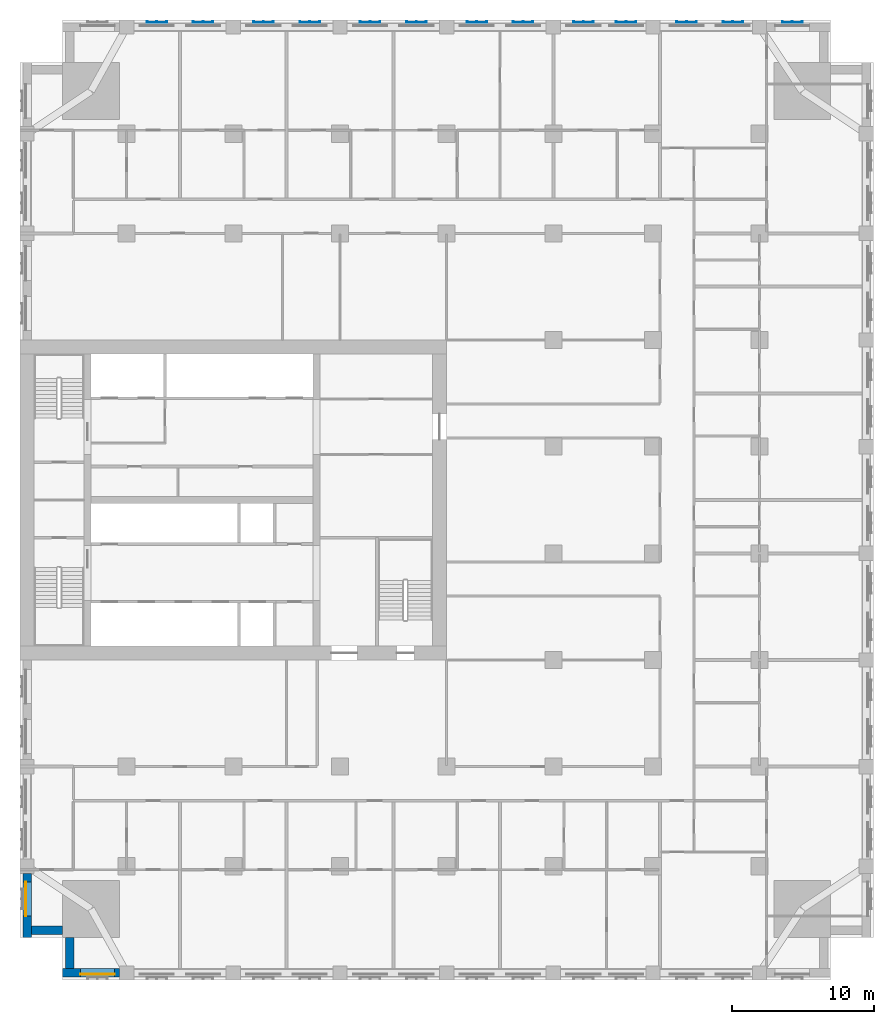
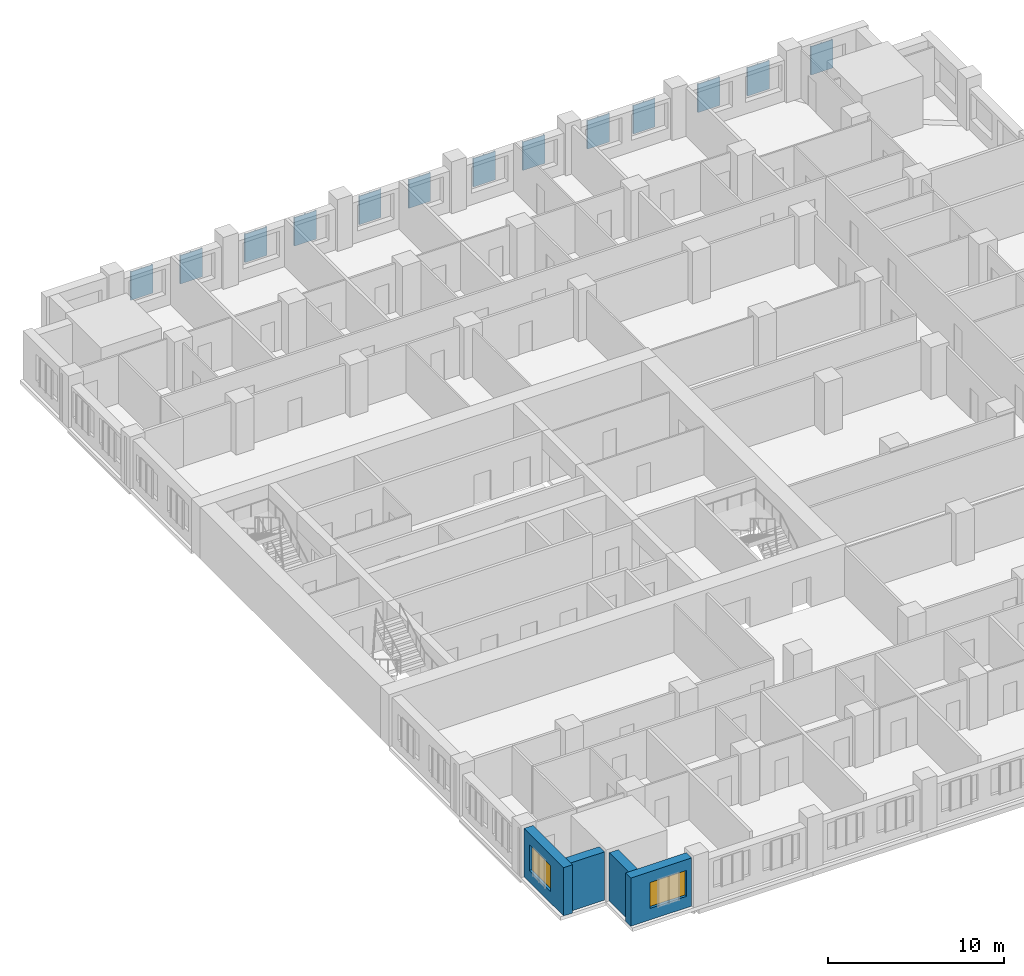
# One storey, part 3 of 14: 13 plates, 4 walls, 2 windows, 2 openings.
"""IFC4 building model written with IfcOpenShell, lengths in metres."""

import ifcopenshell
import ifcopenshell.guid

model = None  # the IFC model being written
_history = None  # IfcOwnerHistory: only IFC2X3 demands one
_inside = {}  # id of a spatial element -> (the spatial element, [elements in it])
_under = {}  # id of a project, library or spatial element -> (it, [spatial elements below it])
_declared = {}  # id of a project -> (the project, [libraries it declares])
_typed = {}  # id of a type object -> (the type object, [elements of that type])
_made_of = {}  # id of a material, layer set ... -> (it, [elements and type objects made of it])


def new_model(schema):
    """Start an empty IFC model of exactly this schema.

    Asked for "IFC4X3", IfcOpenShell would pick the latest addendum, in which some entities
    have other attributes; the version numbers below select the first issue.
    IFC2X3 requires an IfcOwnerHistory on every rooted entity: one is made here for all.
    """
    global model, _history
    if schema == "IFC4X3":
        model = ifcopenshell.file(schema_version=(4, 3, 0, 0))
    else:
        model = ifcopenshell.file(schema=schema)
    _inside.clear()
    _under.clear()
    _declared.clear()
    _typed.clear()
    _made_of.clear()
    _history = None
    if model.schema == "IFC2X3":
        org = make("IfcOrganization", Name="unknown")
        user = make(
            "IfcPersonAndOrganization",
            ThePerson=make("IfcPerson", FamilyName="unknown"),
            TheOrganization=org,
        )
        app = make(
            "IfcApplication",
            ApplicationDeveloper=org,
            Version="unknown",
            ApplicationFullName="unknown",
            ApplicationIdentifier="unknown",
        )
        _history = make(
            "IfcOwnerHistory",
            OwningUser=user,
            OwningApplication=app,
            ChangeAction="ADDED",
            CreationDate=0,
        )
    return model


def make(cls, **values):
    """One entity of the class cls with the attributes given. An attribute that is None is left unset."""
    return model.create_entity(
        cls, **{name: value for name, value in values.items() if value is not None}
    )


def rooted(cls, **values):
    """An entity with a GlobalId (a new one), such as an element, a storey or a relation."""
    return make(cls, GlobalId=ifcopenshell.guid.new(), OwnerHistory=_history, **values)


def si_unit(unit_type, name, prefix=None):
    """IfcSIUnit, for example si_unit("LENGTHUNIT", "METRE", prefix="MILLI")."""
    return make("IfcSIUnit", UnitType=unit_type, Prefix=prefix, Name=name)


def assignment(units):
    """IfcUnitAssignment: the units of a project."""
    return None if units is None else make("IfcUnitAssignment", Units=units)


def point(xyz):
    """IfcCartesianPoint."""
    return None if xyz is None else make("IfcCartesianPoint", Coordinates=xyz)


def direction(xyz):
    """IfcDirection."""
    return None if xyz is None else make("IfcDirection", DirectionRatios=xyz)


def frame(location, z_axis=None, x_axis=None):
    """IfcAxis2Placement3D, a coordinate frame: its origin and axes. An axis left out is left unset."""
    return make(
        "IfcAxis2Placement3D",
        Location=point(location),
        Axis=direction(z_axis),
        RefDirection=direction(x_axis),
    )


def frame_2d(location, x_axis=None):
    """IfcAxis2Placement2D, a coordinate frame in the plane: its origin and x axis."""
    return make(
        "IfcAxis2Placement2D", Location=point(location), RefDirection=direction(x_axis)
    )


def origin():
    """The frame at (0, 0, 0) with its axes left unset."""
    return frame((0.0, 0.0, 0.0))


def place(relative_to, where):
    """IfcLocalPlacement: puts the frame where relative to a parent placement (None: the world)."""
    return make(
        "IfcLocalPlacement", PlacementRelTo=relative_to, RelativePlacement=where
    )


def context(
    kind, dimensions, precision=None, world=None, true_north=None, identifier=None
):
    """IfcGeometricRepresentationContext, for example the 3D "Model" context."""
    return make(
        "IfcGeometricRepresentationContext",
        ContextIdentifier=identifier,
        ContextType=kind,
        CoordinateSpaceDimension=dimensions,
        Precision=precision,
        WorldCoordinateSystem=world,
        TrueNorth=true_north,
    )


def subcontext(parent, identifier, kind, view, scale=None):
    """IfcGeometricRepresentationSubContext, for example "Body" below "Model"."""
    return make(
        "IfcGeometricRepresentationSubContext",
        ContextIdentifier=identifier,
        ContextType=kind,
        ParentContext=parent,
        TargetScale=scale,
        TargetView=view,
    )


def project(units=None, contexts=None):
    """IfcProject with its units and contexts."""
    return rooted(
        "IfcProject",
        Name="project",
        RepresentationContexts=contexts,
        UnitsInContext=assignment(units),
    )


def spatial(cls, under=None, at=None, **own):
    """A site, building, storey or space (cls), placed at a placement, below another one or the project."""
    s = rooted(cls, ObjectPlacement=at, **own)
    if under is not None:
        _under.setdefault(under.id(), (under, []))[1].append(s)
    return s


def polyline(points):
    """IfcPolyline through the points."""
    return make("IfcPolyline", Points=[point(p) for p in points])


def profile(cls, at=None, kind="AREA", **sizes):
    """A parametric profile (cls). Its sizes go by their IFC names, for example OverallWidth=200.0."""
    return make(cls, ProfileType=kind, Position=at, **sizes)


def rectangle(**sizes):
    """IfcRectangleProfileDef."""
    return profile("IfcRectangleProfileDef", **sizes)


def outline(outer, holes=None, kind="AREA"):
    """IfcArbitraryClosedProfileDef: a profile drawn as a closed curve; with holes, ...WithVoids."""
    if holes is None:
        return make("IfcArbitraryClosedProfileDef", ProfileType=kind, OuterCurve=outer)
    return make(
        "IfcArbitraryProfileDefWithVoids",
        ProfileType=kind,
        OuterCurve=outer,
        InnerCurves=holes,
    )


def extrude(swept, where, along, depth):
    """IfcExtrudedAreaSolid: the profile swept, set in the frame where, extruded along a direction by depth."""
    return make(
        "IfcExtrudedAreaSolid",
        SweptArea=swept,
        Position=where,
        ExtrudedDirection=direction(along),
        Depth=depth,
    )


def shape(context_of_items, identifier, shape_type, items):
    """IfcShapeRepresentation: the items that make up one representation, for example the "Body"."""
    return make(
        "IfcShapeRepresentation",
        ContextOfItems=context_of_items,
        RepresentationIdentifier=identifier,
        RepresentationType=shape_type,
        Items=items,
    )


def material(Name=None, Category=None):
    """IfcMaterial."""
    return make("IfcMaterial", Name=Name, Category=Category)


def layer(
    of_material, thickness, ventilated=None, Name=None, Category=None, Priority=None
):
    """IfcMaterialLayer: one layer of a wall or slab, of a material (None: an air gap)."""
    return make(
        "IfcMaterialLayer",
        Material=of_material,
        LayerThickness=thickness,
        IsVentilated=ventilated,
        Name=Name,
        Category=Category,
        Priority=Priority,
    )


def layer_set(layers, Name=None):
    """IfcMaterialLayerSet."""
    return make("IfcMaterialLayerSet", MaterialLayers=layers, LayerSetName=Name)


def made_of(thing, what):
    """Note that an element or type object is made of a material, layer set ...; save() writes the relation."""
    if what is not None:
        _made_of.setdefault(what.id(), (what, []))[1].append(thing)
    return thing


def type_object(cls, material=None, **own):
    """A type object (cls), such as IfcWallType, which elements share."""
    return made_of(rooted(cls, **own), material)


def element(
    cls,
    number,
    at=None,
    inside=None,
    cuts=None,
    type_object=None,
    material=None,
    context=None,
    identifier="Body",
    shape_type=None,
    held_by="IfcProductDefinitionShape",
    body=None,
    shapes=None,
    **own,
):
    """One element of the class cls, such as IfcWall. Its Tag is "e" and its number.

    at: its placement. inside: the storey or other place that contains it. cuts: it is an
    opening in that element (IfcRelVoidsElement). A single representation is given by context,
    identifier, shape_type and body (its items); several are given by shapes. held_by: the class
    of the entity that holds the representations. save() writes the other relations.
    """
    e = rooted(cls, Tag="e%d" % number, ObjectPlacement=at, **own)
    if body is not None:
        shapes = [shape(context, identifier, shape_type, body)]
    if shapes is not None:
        e.Representation = make(held_by, Representations=shapes)
    if inside is not None:
        _inside.setdefault(inside.id(), (inside, []))[1].append(e)
    if cuts is not None:
        rooted(
            "IfcRelVoidsElement", RelatingBuildingElement=cuts, RelatedOpeningElement=e
        )
    if type_object is not None:
        _typed.setdefault(type_object.id(), (type_object, []))[1].append(e)
    return made_of(e, material)


def fill(opening, filler):
    """IfcRelFillsElement: the door or window that sits in an opening."""
    return rooted(
        "IfcRelFillsElement",
        RelatingOpeningElement=opening,
        RelatedBuildingElement=filler,
    )


def aggregate(whole, parts):
    """IfcRelAggregates: a whole, such as a stair, and the parts it consists of."""
    return rooted("IfcRelAggregates", RelatingObject=whole, RelatedObjects=parts)


def save(model, path):
    """Write the relations noted so far, then the file.

    IfcRelAggregates (storeys below a building ...), IfcRelContainedInSpatialStructure (elements
    in a storey), IfcRelDefinesByType, IfcRelAssociatesMaterial and IfcRelDeclares: one each for
    every whole, place, type object, material and project.
    """
    for whole, parts in _under.values():
        aggregate(whole, parts)
    for where, things in _inside.values():
        rooted(
            "IfcRelContainedInSpatialStructure",
            RelatedElements=things,
            RelatingStructure=where,
        )
    for kind, things in _typed.values():
        rooted("IfcRelDefinesByType", RelatedObjects=things, RelatingType=kind)
    for what, things in _made_of.values():
        rooted("IfcRelAssociatesMaterial", RelatedObjects=things, RelatingMaterial=what)
    for by, libraries in _declared.values():
        rooted("IfcRelDeclares", RelatingContext=by, RelatedDefinitions=libraries)
    model.write(path)


model = new_model("IFC4")

# Units and contexts
model_context = context("Model", 3, precision=1e-05, world=origin(), true_north=direction((0.0, 1.0)))
body_context = subcontext(model_context, "Body", "Model", "MODEL_VIEW")
ifc_project = project(units=[si_unit("LENGTHUNIT", "METRE"), si_unit("AREAUNIT", "SQUARE_METRE"), si_unit("VOLUMEUNIT", "CUBIC_METRE"), si_unit("PLANEANGLEUNIT", "RADIAN"), si_unit("MASSUNIT", "GRAM", prefix="KILO")], contexts=[model_context])

# Site, building, storey
site_placement = place(None, origin())
site = spatial("IfcSite", under=ifc_project, at=site_placement, CompositionType="ELEMENT")
building_placement = place(site_placement, origin())
building = spatial("IfcBuilding", under=site, at=building_placement, Name="Tamorin Gate", CompositionType="ELEMENT")
storey_placement = place(building_placement, frame((0.0, 0.0, 66.39990234375)))
storey = spatial("IfcBuildingStorey", under=building, at=storey_placement, Name="L15", CompositionType="ELEMENT", Elevation=66.39990234375)

# Plates
ifc_material_1 = material(Name="Perforated pale aluminium sheet", Category="aluminium")
ifc_layer_1 = layer(ifc_material_1, 0.0400390625)
ifc_layer_set_1 = layer_set([ifc_layer_1], Name="Pale metal solar screen 1440")
plate_type = type_object("IfcPlateType", Name="Pale metal solar screen 1440", PredefinedType="SHEET", material=ifc_layer_set_1)
plate_1_placement = place(storey_placement, frame((0.0, 0.0, 0.710205078125)))
element("IfcPlate", 1, at=plate_1_placement, inside=storey, type_object=plate_type, Name="Perforated solar screen", PredefinedType="SHEET", context=body_context, shape_type="SweptSolid", body=[
    extrude(outline(polyline([(85.02001953125, 104.840087890625), (85.02001953125, 104.800048828125), (84.9599609375, 104.800048828125), (84.330078125, 104.800048828125), (84.27001953125, 104.800048828125), (83.639892578125, 104.800048828125), (83.580078125, 104.800048828125), (83.580078125, 104.840087890625), (83.580078125, 104.89990234375), (83.639892578125, 104.89990234375), (83.639892578125, 104.840087890625), (84.27001953125, 104.840087890625), (84.27001953125, 104.89990234375), (84.330078125, 104.89990234375), (84.330078125, 104.840087890625), (84.9599609375, 104.840087890625), (84.9599609375, 104.89990234375), (85.02001953125, 104.89990234375), (85.02001953125, 104.840087890625)])), origin(), (0.0, 0.0, 1.0), 1.97998046875),
])
plate_2_placement = place(storey_placement, frame((0.0, 0.0, 0.710205078125)))
element("IfcPlate", 2, at=plate_2_placement, inside=storey, type_object=plate_type, Name="Perforated solar screen", PredefinedType="SHEET", context=body_context, shape_type="SweptSolid", body=[
    extrude(outline(polyline([(77.594970703125, 104.840087890625), (77.594970703125, 104.800048828125), (77.534912109375, 104.800048828125), (76.905029296875, 104.800048828125), (76.844970703125, 104.800048828125), (76.215087890625, 104.800048828125), (76.155029296875, 104.800048828125), (76.155029296875, 104.840087890625), (76.155029296875, 104.89990234375), (76.215087890625, 104.89990234375), (76.215087890625, 104.840087890625), (76.844970703125, 104.840087890625), (76.844970703125, 104.89990234375), (76.905029296875, 104.89990234375), (76.905029296875, 104.840087890625), (77.534912109375, 104.840087890625), (77.534912109375, 104.89990234375), (77.594970703125, 104.89990234375), (77.594970703125, 104.840087890625)])), origin(), (0.0, 0.0, 1.0), 1.97998046875),
])
plate_3_placement = place(storey_placement, frame((0.0, 0.0, 0.710205078125)))
element("IfcPlate", 3, at=plate_3_placement, inside=storey, type_object=plate_type, Name="Perforated solar screen", PredefinedType="SHEET", context=body_context, shape_type="SweptSolid", body=[
    extrude(outline(polyline([(80.844970703125, 104.840087890625), (80.844970703125, 104.800048828125), (80.784912109375, 104.800048828125), (80.155029296875, 104.800048828125), (80.094970703125, 104.800048828125), (79.465087890625, 104.800048828125), (79.405029296875, 104.800048828125), (79.405029296875, 104.800048828125), (79.405029296875, 104.840087890625), (79.405029296875, 104.840087890625), (79.405029296875, 104.89990234375), (79.465087890625, 104.89990234375), (79.465087890625, 104.840087890625), (80.094970703125, 104.840087890625), (80.094970703125, 104.89990234375), (80.155029296875, 104.89990234375), (80.155029296875, 104.840087890625), (80.784912109375, 104.840087890625), (80.784912109375, 104.89990234375), (80.844970703125, 104.89990234375), (80.844970703125, 104.840087890625)])), origin(), (0.0, 0.0, 1.0), 1.97998046875),
])
plate_4_placement = place(storey_placement, frame((0.0, 0.0, 0.710205078125)))
element("IfcPlate", 4, at=plate_4_placement, inside=storey, type_object=plate_type, Name="Perforated solar screen", PredefinedType="SHEET", context=body_context, shape_type="SweptSolid", body=[
    extrude(outline(polyline([(70.344970703125, 104.840087890625), (70.344970703125, 104.800048828125), (70.284912109375, 104.800048828125), (69.655029296875, 104.800048828125), (69.594970703125, 104.800048828125), (68.965087890625, 104.800048828125), (68.905029296875, 104.800048828125), (68.905029296875, 104.840087890625), (68.905029296875, 104.89990234375), (68.965087890625, 104.89990234375), (68.965087890625, 104.840087890625), (69.594970703125, 104.840087890625), (69.594970703125, 104.89990234375), (69.655029296875, 104.89990234375), (69.655029296875, 104.840087890625), (70.284912109375, 104.840087890625), (70.284912109375, 104.89990234375), (70.344970703125, 104.89990234375), (70.344970703125, 104.840087890625)])), origin(), (0.0, 0.0, 1.0), 1.97998046875),
])
plate_5_placement = place(storey_placement, frame((0.0, 0.0, 0.710205078125)))
element("IfcPlate", 5, at=plate_5_placement, inside=storey, type_object=plate_type, Name="Perforated solar screen", PredefinedType="SHEET", context=body_context, shape_type="SweptSolid", body=[
    extrude(outline(polyline([(73.344970703125, 104.840087890625), (73.344970703125, 104.800048828125), (73.284912109375, 104.800048828125), (72.655029296875, 104.800048828125), (72.594970703125, 104.800048828125), (71.965087890625, 104.800048828125), (71.905029296875, 104.800048828125), (71.905029296875, 104.840087890625), (71.905029296875, 104.89990234375), (71.965087890625, 104.89990234375), (71.965087890625, 104.840087890625), (72.594970703125, 104.840087890625), (72.594970703125, 104.89990234375), (72.655029296875, 104.89990234375), (72.655029296875, 104.840087890625), (73.284912109375, 104.840087890625), (73.284912109375, 104.89990234375), (73.344970703125, 104.89990234375), (73.344970703125, 104.840087890625)])), origin(), (0.0, 0.0, 1.0), 1.97998046875),
])
plate_6_placement = place(storey_placement, frame((0.0, 0.0, 0.710205078125)))
element("IfcPlate", 6, at=plate_6_placement, inside=storey, type_object=plate_type, Name="Perforated solar screen", PredefinedType="SHEET", context=body_context, shape_type="SweptSolid", body=[
    extrude(outline(polyline([(62.844970703125, 104.840087890625), (62.844970703125, 104.800048828125), (62.784912109375, 104.800048828125), (62.155029296875, 104.800048828125), (62.094970703125, 104.800048828125), (61.465087890625, 104.800048828125), (61.405029296875, 104.800048828125), (61.405029296875, 104.840087890625), (61.405029296875, 104.89990234375), (61.465087890625, 104.89990234375), (61.465087890625, 104.840087890625), (62.094970703125, 104.840087890625), (62.094970703125, 104.89990234375), (62.155029296875, 104.89990234375), (62.155029296875, 104.840087890625), (62.784912109375, 104.840087890625), (62.784912109375, 104.89990234375), (62.844970703125, 104.89990234375), (62.844970703125, 104.840087890625)])), origin(), (0.0, 0.0, 1.0), 1.97998046875),
])
plate_7_placement = place(storey_placement, frame((0.0, 0.0, 0.710205078125)))
element("IfcPlate", 7, at=plate_7_placement, inside=storey, type_object=plate_type, Name="Perforated solar screen", PredefinedType="SHEET", context=body_context, shape_type="SweptSolid", body=[
    extrude(outline(polyline([(66.094970703125, 104.840087890625), (66.094970703125, 104.800048828125), (66.034912109375, 104.800048828125), (65.405029296875, 104.800048828125), (65.344970703125, 104.800048828125), (64.715087890625, 104.800048828125), (64.655029296875, 104.800048828125), (64.655029296875, 104.840087890625), (64.655029296875, 104.89990234375), (64.715087890625, 104.89990234375), (64.715087890625, 104.840087890625), (65.344970703125, 104.840087890625), (65.344970703125, 104.89990234375), (65.405029296875, 104.89990234375), (65.405029296875, 104.840087890625), (66.034912109375, 104.840087890625), (66.034912109375, 104.89990234375), (66.094970703125, 104.89990234375), (66.094970703125, 104.840087890625)])), origin(), (0.0, 0.0, 1.0), 1.97998046875),
])
plate_8_placement = place(storey_placement, frame((0.0, 0.0, 0.710205078125)))
element("IfcPlate", 8, at=plate_8_placement, inside=storey, type_object=plate_type, Name="Perforated solar screen", PredefinedType="SHEET", context=body_context, shape_type="SweptSolid", body=[
    extrude(outline(polyline([(55.344970703125, 104.840087890625), (55.344970703125, 104.800048828125), (55.284912109375, 104.800048828125), (54.655029296875, 104.800048828125), (54.594970703125, 104.800048828125), (53.965087890625, 104.800048828125), (53.905029296875, 104.800048828125), (53.905029296875, 104.840087890625), (53.905029296875, 104.89990234375), (53.965087890625, 104.89990234375), (53.965087890625, 104.840087890625), (54.594970703125, 104.840087890625), (54.594970703125, 104.89990234375), (54.655029296875, 104.89990234375), (54.655029296875, 104.840087890625), (55.284912109375, 104.840087890625), (55.284912109375, 104.89990234375), (55.344970703125, 104.89990234375), (55.344970703125, 104.840087890625)])), origin(), (0.0, 0.0, 1.0), 1.97998046875),
])
plate_9_placement = place(storey_placement, frame((0.0, 0.0, 0.710205078125)))
element("IfcPlate", 9, at=plate_9_placement, inside=storey, type_object=plate_type, Name="Perforated solar screen", PredefinedType="SHEET", context=body_context, shape_type="SweptSolid", body=[
    extrude(outline(polyline([(58.594970703125, 104.840087890625), (58.594970703125, 104.800048828125), (58.534912109375, 104.800048828125), (57.905029296875, 104.800048828125), (57.844970703125, 104.800048828125), (57.215087890625, 104.800048828125), (57.155029296875, 104.800048828125), (57.155029296875, 104.840087890625), (57.155029296875, 104.89990234375), (57.215087890625, 104.89990234375), (57.215087890625, 104.840087890625), (57.844970703125, 104.840087890625), (57.844970703125, 104.89990234375), (57.905029296875, 104.89990234375), (57.905029296875, 104.840087890625), (58.534912109375, 104.840087890625), (58.534912109375, 104.89990234375), (58.594970703125, 104.89990234375), (58.594970703125, 104.840087890625)])), origin(), (0.0, 0.0, 1.0), 1.97998046875),
])
plate_10_placement = place(storey_placement, frame((0.0, 0.0, 0.710205078125)))
element("IfcPlate", 10, at=plate_10_placement, inside=storey, type_object=plate_type, Name="Perforated solar screen", PredefinedType="SHEET", context=body_context, shape_type="SweptSolid", body=[
    extrude(outline(polyline([(47.844970703125, 104.840087890625), (47.844970703125, 104.800048828125), (47.784912109375, 104.800048828125), (47.155029296875, 104.800048828125), (47.094970703125, 104.800048828125), (46.465087890625, 104.800048828125), (46.405029296875, 104.800048828125), (46.405029296875, 104.840087890625), (46.405029296875, 104.89990234375), (46.465087890625, 104.89990234375), (46.465087890625, 104.840087890625), (47.094970703125, 104.840087890625), (47.094970703125, 104.89990234375), (47.155029296875, 104.89990234375), (47.155029296875, 104.840087890625), (47.784912109375, 104.840087890625), (47.784912109375, 104.89990234375), (47.844970703125, 104.89990234375), (47.844970703125, 104.840087890625)])), origin(), (0.0, 0.0, 1.0), 1.97998046875),
])
plate_11_placement = place(storey_placement, frame((0.0, 0.0, 0.710205078125)))
element("IfcPlate", 11, at=plate_11_placement, inside=storey, type_object=plate_type, Name="Perforated solar screen", PredefinedType="SHEET", context=body_context, shape_type="SweptSolid", body=[
    extrude(outline(polyline([(51.094970703125, 104.840087890625), (51.094970703125, 104.800048828125), (51.034912109375, 104.800048828125), (50.405029296875, 104.800048828125), (50.344970703125, 104.800048828125), (49.715087890625, 104.800048828125), (49.655029296875, 104.800048828125), (49.655029296875, 104.840087890625), (49.655029296875, 104.89990234375), (49.715087890625, 104.89990234375), (49.715087890625, 104.840087890625), (50.344970703125, 104.840087890625), (50.344970703125, 104.89990234375), (50.405029296875, 104.89990234375), (50.405029296875, 104.840087890625), (51.034912109375, 104.840087890625), (51.034912109375, 104.89990234375), (51.094970703125, 104.89990234375), (51.094970703125, 104.840087890625)])), origin(), (0.0, 0.0, 1.0), 1.97998046875),
])
plate_12_placement = place(storey_placement, frame((0.0, 0.0, 0.710205078125)))
element("IfcPlate", 12, at=plate_12_placement, inside=storey, type_object=plate_type, Name="Perforated solar screen", PredefinedType="SHEET", context=body_context, shape_type="SweptSolid", body=[
    extrude(outline(polyline([(40.344970703125, 104.840087890625), (40.344970703125, 104.800048828125), (40.284912109375, 104.800048828125), (39.655029296875, 104.800048828125), (39.594970703125, 104.800048828125), (38.965087890625, 104.800048828125), (38.905029296875, 104.800048828125), (38.905029296875, 104.840087890625), (38.905029296875, 104.89990234375), (38.965087890625, 104.89990234375), (38.965087890625, 104.840087890625), (39.594970703125, 104.840087890625), (39.594970703125, 104.89990234375), (39.655029296875, 104.89990234375), (39.655029296875, 104.840087890625), (40.284912109375, 104.840087890625), (40.284912109375, 104.89990234375), (40.344970703125, 104.89990234375), (40.344970703125, 104.840087890625)])), origin(), (0.0, 0.0, 1.0), 1.97998046875),
])
plate_13_placement = place(storey_placement, frame((0.0, 0.0, 0.710205078125)))
element("IfcPlate", 13, at=plate_13_placement, inside=storey, type_object=plate_type, Name="Perforated solar screen", PredefinedType="SHEET", context=body_context, shape_type="SweptSolid", body=[
    extrude(outline(polyline([(43.594970703125, 104.840087890625), (43.594970703125, 104.800048828125), (43.534912109375, 104.800048828125), (42.905029296875, 104.800048828125), (42.844970703125, 104.800048828125), (42.215087890625, 104.800048828125), (42.155029296875, 104.800048828125), (42.155029296875, 104.840087890625), (42.155029296875, 104.89990234375), (42.215087890625, 104.89990234375), (42.215087890625, 104.840087890625), (42.844970703125, 104.840087890625), (42.844970703125, 104.89990234375), (42.905029296875, 104.89990234375), (42.905029296875, 104.840087890625), (43.534912109375, 104.840087890625), (43.534912109375, 104.89990234375), (43.594970703125, 104.89990234375), (43.594970703125, 104.840087890625)])), origin(), (0.0, 0.0, 1.0), 1.97998046875),
])

# Wall, opening, window
ifc_material_2 = material(Name="Precast concrete C40/50", Category="concrete")
ifc_layer_2 = layer(ifc_material_2, 0.60009765625)
ifc_layer_set_2 = layer_set([ifc_layer_2], Name="Precast concrete C40/50")
wall_type = type_object("IfcWallType", Name="Board-marked concrete facade panel 600", PredefinedType="SOLIDWALL", material=ifc_layer_set_2)
wall_1_placement = place(storey_placement, frame((33.0, 38.0, 0.0), z_axis=(0.0, 0.0, 1.0), x_axis=(1.0, 0.0, 0.0)))
wall_1 = element("IfcWall", 14, at=wall_1_placement, inside=storey, type_object=wall_type, Name="Facade panel", PredefinedType="SOLIDWALL", context=body_context, shape_type="SweptSolid", body=[
    extrude(rectangle(XDim=4.0, YDim=0.60009765625, at=frame_2d((2.0, 0.0))), origin(), (0.0, 0.0, 1.0), 3.35009765625),
])
opening_1_placement = place(wall_1_placement, frame((1.25, 0.0, 0.800048828125)))
opening_1 = element("IfcOpeningElement", 15, at=opening_1_placement, cuts=wall_1, Name="Opening WN1", PredefinedType="OPENING", context=body_context, shape_type="SweptSolid", body=[
    extrude(rectangle(XDim=2.39990234375, YDim=1.800048828125, at=frame_2d((1.199951171875, 0.89990234375))), frame((0.0, 0.31005859375, 0.0), z_axis=(0.0, -1.0, 0.0), x_axis=(1.0, 0.0, 0.0)), (0.0, 0.0, 1.0), 0.6201171875),
])
ifc_material_3 = material(Name="Clear glass in aluminium frame", Category="aluminium")
window_type = type_object("IfcWindowType", Name="Deep-set window 2400x1800", PartitioningType="SINGLE_PANEL", PredefinedType="WINDOW", material=ifc_material_3)
window_1_placement = place(opening_1_placement, origin())
window_1 = element("IfcWindow", 16, at=window_1_placement, inside=storey, type_object=window_type, Name="Deep-set window", OverallHeight=1.800048828125, OverallWidth=2.39990234375, PartitioningType="SINGLE_PANEL", PredefinedType="WINDOW", context=body_context, shape_type="SweptSolid", body=[
    extrude(rectangle(XDim=2.39990234375, YDim=1.800048828125, at=frame_2d((1.199951171875, 0.89990234375))), frame((0.0, -0.070068359375, 0.0), z_axis=(0.0, -1.0, 0.0), x_axis=(1.0, 0.0, 0.0)), (0.0, 0.0, 1.0), 0.06005859375),
])
fill(opening_1, window_1)

wall_2_placement = place(storey_placement, frame((30.5, 45.0, 0.0), z_axis=(0.0, 0.0, 1.0), x_axis=(0.0, -1.0, 0.0)))
wall_2 = element("IfcWall", 17, at=wall_2_placement, inside=storey, type_object=wall_type, Name="Facade panel", PredefinedType="SOLIDWALL", context=body_context, shape_type="SweptSolid", body=[
    extrude(rectangle(XDim=4.5, YDim=0.60009765625, at=frame_2d((2.25, 0.0))), origin(), (0.0, 0.0, 1.0), 3.35009765625),
])
opening_2_placement = place(wall_2_placement, frame((0.60009765625, 0.0, 0.800048828125)))
opening_2 = element("IfcOpeningElement", 18, at=opening_2_placement, cuts=wall_2, Name="Opening WN1", PredefinedType="OPENING", context=body_context, shape_type="SweptSolid", body=[
    extrude(rectangle(XDim=2.39990234375, YDim=1.800048828125, at=frame_2d((1.199951171875, 0.89990234375))), frame((0.0, 0.31005859375, 0.0), z_axis=(0.0, -1.0, 0.0), x_axis=(1.0, 0.0, 0.0)), (0.0, 0.0, 1.0), 0.6201171875),
])
window_2_placement = place(opening_2_placement, origin())
window_2 = element("IfcWindow", 19, at=window_2_placement, inside=storey, type_object=window_type, Name="Deep-set window", OverallHeight=1.800048828125, OverallWidth=2.39990234375, PartitioningType="SINGLE_PANEL", PredefinedType="WINDOW", context=body_context, shape_type="SweptSolid", body=[
    extrude(rectangle(XDim=2.39990234375, YDim=1.800048828125, at=frame_2d((1.199951171875, 0.89990234375))), frame((0.0, -0.070068359375, 0.0), z_axis=(0.0, -1.0, 0.0), x_axis=(1.0, 0.0, 0.0)), (0.0, 0.0, 1.0), 0.06005859375),
])
fill(opening_2, window_2)

# Walls
for number, where, z_axis, x_axis, name in (
    (20, (30.800048828125, 41.0, 0.0), (0.0, 0.0, 1.0), (1.0, 0.0, 0.0), "Facade panel"),
    (21, (33.5, 40.5, 0.0), (0.0, 0.0, 1.0), (0.0, -1.0, 0.0), "Facade panel"),
):
    element("IfcWall", number, at=place(storey_placement, frame(where, z_axis=z_axis, x_axis=x_axis)), inside=storey, type_object=wall_type, Name=name, PredefinedType="SOLIDWALL", context=body_context, shape_type="SweptSolid", body=[
        extrude(rectangle(XDim=2.199951171875, YDim=0.60009765625, at=frame_2d((1.10009765625, 0.0))), origin(), (0.0, 0.0, 1.0), 3.35009765625),
    ])

save(model, "model.ifc")
